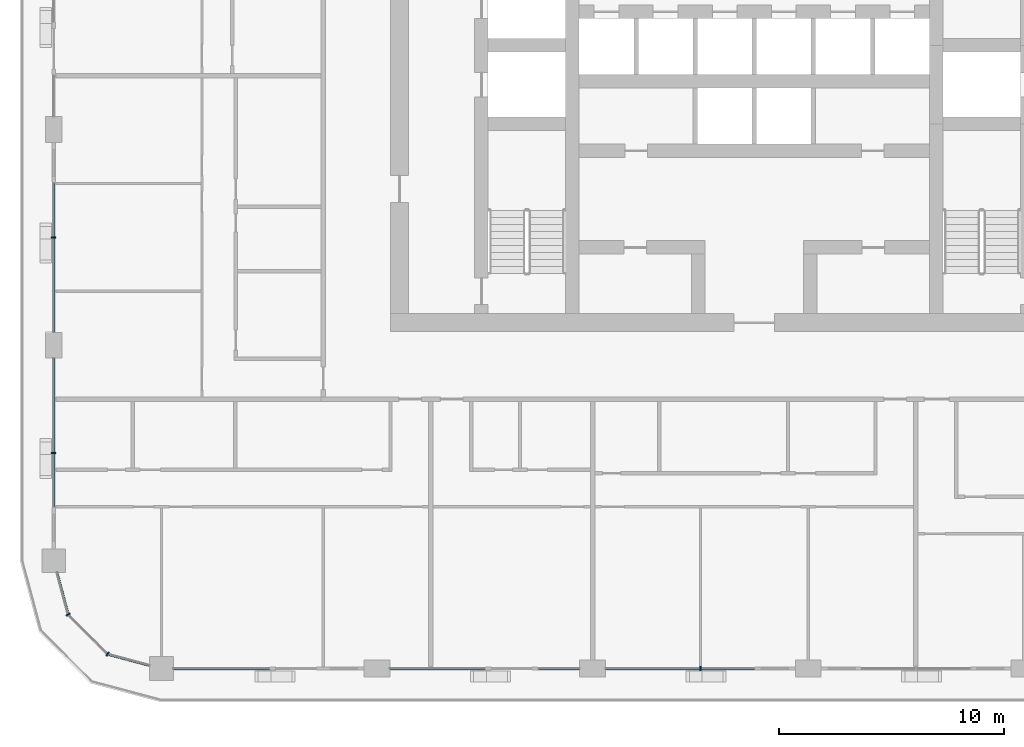
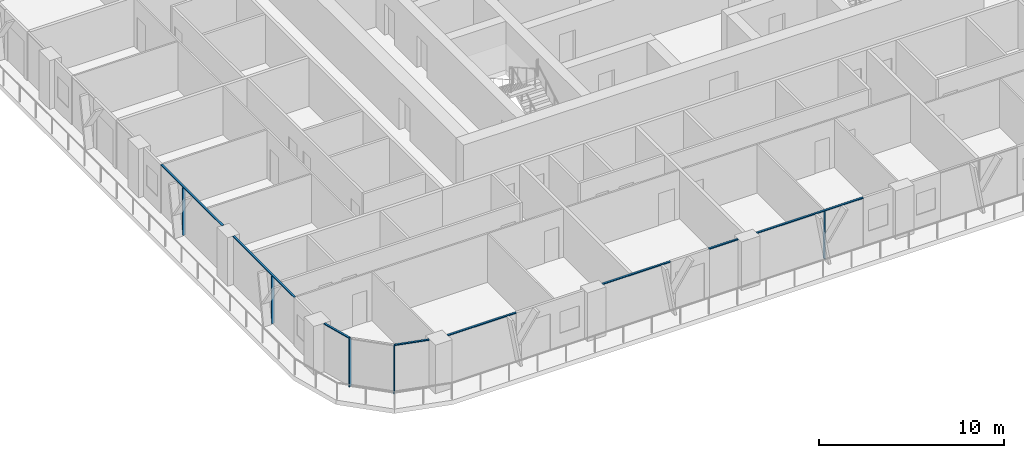
# One storey, part 2 of 22: 13 members, 6 elements without a shape of their own.
"""IFC4 building model written with IfcOpenShell, lengths in metres."""

from ifc_helpers import new_model, si_unit, direction, frame, origin, origin_2d, place, context, subcontext, project, spatial, rectangle, extrude, material, layer, layer_set, material_profile, profile_set, type_object, element, aggregate, save


model = new_model("IFC4")

# Units and contexts
model_context = context("Model", 3, precision=1e-05, world=origin(), true_north=direction((0.0, 1.0)))
body_context = subcontext(model_context, "Body", "Model", "MODEL_VIEW")
ifc_project = project(units=[si_unit("LENGTHUNIT", "METRE"), si_unit("AREAUNIT", "SQUARE_METRE"), si_unit("VOLUMEUNIT", "CUBIC_METRE"), si_unit("PLANEANGLEUNIT", "RADIAN"), si_unit("MASSUNIT", "GRAM", prefix="KILO")], contexts=[model_context])

# Site, building, storey
site_placement = place(None, origin())
site = spatial("IfcSite", under=ifc_project, at=site_placement, CompositionType="ELEMENT")
building_placement = place(site_placement, origin())
building = spatial("IfcBuilding", under=site, at=building_placement, Name="Madar Terraces", CompositionType="ELEMENT")
storey_placement = place(building_placement, frame((0.0, 0.0, 163.0)))
storey = spatial("IfcBuildingStorey", under=building, at=storey_placement, Name="L42", CompositionType="ELEMENT", Elevation=163.0)

# Curtain wall, member
ifc_material_1 = material(Name="Glass, ceramic frit dark grey, with black aluminium frame", Category="aluminium")
ifc_layer = layer(ifc_material_1, 0.199951171875)
ifc_layer_set = layer_set([ifc_layer], Name="Facade curtain wall, fritted glass")
curtain_wall_type = type_object("IfcCurtainWallType", Name="Facade curtain wall, fritted glass", PredefinedType="NOTDEFINED", material=ifc_layer_set)
curtain_wall_1_placement = place(storey_placement, origin())
curtain_wall_1 = element("IfcCurtainWall", 1, at=curtain_wall_1_placement, inside=storey, type_object=curtain_wall_type, Name="Outer skin curtain wall south bay 3", PredefinedType="NOTDEFINED")
ifc_material_2 = material(Name="Aluminium, black anodised", Category="aluminium")
ifc_material_profile_1 = material_profile(ifc_material_2, rectangle(XDim=0.199951171875, YDim=0.06005859375, at=origin_2d()), Name="Facade mullion 60x200")
ifc_profile_set_1 = profile_set([ifc_material_profile_1], Name="Aluminium, black anodised")
member_type_1 = type_object("IfcMemberType", Name="Facade mullion 60x200", PredefinedType="MULLION", material=ifc_profile_set_1)
member_1_placement = place(storey_placement, frame((28.800048828125, 0.0, 0.0), z_axis=(0.0, 0.0, 1.0), x_axis=(0.0, 1.0, 0.0)))
member_1 = element("IfcMember", 2, at=member_1_placement, type_object=member_type_1, Name="Mullion 1", PredefinedType="MULLION", context=body_context, shape_type="SweptSolid", body=[
    extrude(rectangle(XDim=0.199951171875, YDim=0.06005859375, at=origin_2d()), origin(), (0.0, 0.0, 1.0), 3.139892578125),
])

curtain_wall_2_placement = place(storey_placement, origin())
curtain_wall_2 = element("IfcCurtainWall", 3, at=curtain_wall_2_placement, inside=storey, type_object=curtain_wall_type, Name="Outer skin curtain wall west bay 3", PredefinedType="NOTDEFINED")
member_2_placement = place(storey_placement, frame((0.0, 19.199951171875, 0.0), z_axis=(0.0, 0.0, 1.0), x_axis=(1.0, 0.0, 0.0)))
member_2 = element("IfcMember", 4, at=member_2_placement, type_object=member_type_1, Name="Mullion 1", PredefinedType="MULLION", context=body_context, shape_type="SweptSolid", body=[
    extrude(rectangle(XDim=0.199951171875, YDim=0.06005859375, at=origin_2d()), origin(), (0.0, 0.0, 1.0), 3.139892578125),
])

curtain_wall_3_placement = place(storey_placement, origin())
curtain_wall_3 = element("IfcCurtainWall", 5, at=curtain_wall_3_placement, inside=storey, type_object=curtain_wall_type, Name="Outer skin curtain wall west bay 4", PredefinedType="NOTDEFINED")
member_3_placement = place(storey_placement, frame((0.0, 9.60009765625, 0.0), z_axis=(0.0, 0.0, 1.0), x_axis=(1.0, 0.0, 0.0)))
member_3 = element("IfcMember", 6, at=member_3_placement, type_object=member_type_1, Name="Mullion 1", PredefinedType="MULLION", context=body_context, shape_type="SweptSolid", body=[
    extrude(rectangle(XDim=0.199951171875, YDim=0.06005859375, at=origin_2d()), origin(), (0.0, 0.0, 1.0), 3.139892578125),
])

# Curtain wall, members
curtain_wall_4_placement = place(storey_placement, origin())
curtain_wall_4 = element("IfcCurtainWall", 7, at=curtain_wall_4_placement, inside=storey, type_object=curtain_wall_type, Name="Outer skin curtain wall south-west corner", PredefinedType="NOTDEFINED")
member_4_placement = place(storey_placement, frame((0.64306640625, 2.39990234375, 0.0), z_axis=(0.0, 0.0, 1.0), x_axis=(0.866025409797, 0.499999989586, 0.0)))
member_4 = element("IfcMember", 8, at=member_4_placement, type_object=member_type_1, Name="Mullion 1", PredefinedType="MULLION", context=body_context, shape_type="SweptSolid", body=[
    extrude(rectangle(XDim=0.199951171875, YDim=0.06005859375, at=origin_2d()), origin(), (0.0, 0.0, 1.0), 3.139892578125),
])
member_5_placement = place(storey_placement, frame((2.39990234375, 0.64306640625, 0.0), z_axis=(0.0, 0.0, 1.0), x_axis=(0.499999989586, 0.866025409797, 0.0)))
member_5 = element("IfcMember", 9, at=member_5_placement, type_object=member_type_1, Name="Mullion 2", PredefinedType="MULLION", context=body_context, shape_type="SweptSolid", body=[
    extrude(rectangle(XDim=0.199951171875, YDim=0.06005859375, at=origin_2d()), origin(), (0.0, 0.0, 1.0), 3.139892578125),
])

# Curtain wall, member
curtain_wall_5_placement = place(storey_placement, origin())
curtain_wall_5 = element("IfcCurtainWall", 10, at=curtain_wall_5_placement, inside=storey, type_object=curtain_wall_type, Name="Outer skin curtain wall south bay 1", PredefinedType="NOTDEFINED")
ifc_material_3 = material(Name="Aluminium, black anodised", Category="aluminium")
ifc_material_profile_2 = material_profile(ifc_material_3, rectangle(XDim=0.1201171875, YDim=0.06005859375, at=origin_2d()), Name="Facade transom 60x120")
ifc_profile_set_2 = profile_set([ifc_material_profile_2], Name="Aluminium, black anodised")
member_type_2 = type_object("IfcMemberType", Name="Facade transom 60x120", PredefinedType="USERDEFINED", material=ifc_profile_set_2)
member_6_placement = place(storey_placement, frame((5.324951171875, 0.0, 3.169921875), z_axis=(1.0, 0.0, 0.0), x_axis=(0.0, 1.0, 0.0)))
member_6 = element("IfcMember", 11, at=member_6_placement, type_object=member_type_2, Name="Transom 1", ObjectType="TRANSOM", PredefinedType="USERDEFINED", context=body_context, shape_type="SweptSolid", body=[
    extrude(rectangle(XDim=0.1201171875, YDim=0.06005859375, at=origin_2d()), origin(), (0.0, 0.0, 1.0), 4.275146484375),
])
aggregate(curtain_wall_5, [member_6])

# Curtain wall, members
curtain_wall_6_placement = place(storey_placement, origin())
curtain_wall_6 = element("IfcCurtainWall", 12, at=curtain_wall_6_placement, inside=storey, type_object=curtain_wall_type, Name="Outer skin curtain wall south bay 2", PredefinedType="NOTDEFINED")
member_7_placement = place(storey_placement, frame((14.97509765625, 0.0, 3.169921875), z_axis=(1.0, 0.0, 0.0), x_axis=(0.0, 1.0, 0.0)))
member_7 = element("IfcMember", 13, at=member_7_placement, type_object=member_type_2, Name="Transom 1", ObjectType="TRANSOM", PredefinedType="USERDEFINED", context=body_context, shape_type="SweptSolid", body=[
    extrude(rectangle(XDim=0.1201171875, YDim=0.06005859375, at=origin_2d()), origin(), (0.0, 0.0, 1.0), 4.224853515625),
])
member_8_placement = place(storey_placement, frame((21.60009765625, 0.0, 3.169921875), z_axis=(1.0, 0.0, 0.0), x_axis=(0.0, 1.0, 0.0)))
member_8 = element("IfcMember", 14, at=member_8_placement, type_object=member_type_2, Name="Transom 2", ObjectType="TRANSOM", PredefinedType="USERDEFINED", context=body_context, shape_type="SweptSolid", body=[
    extrude(rectangle(XDim=0.1201171875, YDim=0.06005859375, at=origin_2d()), origin(), (0.0, 0.0, 1.0), 1.824951171875),
])
aggregate(curtain_wall_6, [member_7, member_8])

# Member
member_9_placement = place(storey_placement, frame((24.574951171875, 0.0, 3.169921875), z_axis=(1.0, 0.0, 0.0), x_axis=(0.0, 1.0, 0.0)))
member_9 = element("IfcMember", 15, at=member_9_placement, type_object=member_type_2, Name="Transom 1", ObjectType="TRANSOM", PredefinedType="USERDEFINED", context=body_context, shape_type="SweptSolid", body=[
    extrude(rectangle(XDim=0.1201171875, YDim=0.06005859375, at=origin_2d()), origin(), (0.0, 0.0, 1.0), 6.625),
])

aggregate(curtain_wall_1, [member_1, member_9])

member_10_placement = place(storey_placement, frame((0.0, 21.60009765625, 3.169921875), z_axis=(0.0, -1.0, 0.0), x_axis=(1.0, 0.0, 0.0)))
member_10 = element("IfcMember", 16, at=member_10_placement, type_object=member_type_2, Name="Transom 1", ObjectType="TRANSOM", PredefinedType="USERDEFINED", context=body_context, shape_type="SweptSolid", body=[
    extrude(rectangle(XDim=0.1201171875, YDim=0.06005859375, at=origin_2d()), origin(), (0.0, 0.0, 1.0), 6.625),
])

aggregate(curtain_wall_2, [member_2, member_10])

member_11_placement = place(storey_placement, frame((0.0, 13.824951171875, 3.169921875), z_axis=(0.0, -1.0, 0.0), x_axis=(1.0, 0.0, 0.0)))
member_11 = element("IfcMember", 17, at=member_11_placement, type_object=member_type_2, Name="Transom 1", ObjectType="TRANSOM", PredefinedType="USERDEFINED", context=body_context, shape_type="SweptSolid", body=[
    extrude(rectangle(XDim=0.1201171875, YDim=0.06005859375, at=origin_2d()), origin(), (0.0, 0.0, 1.0), 6.625),
])

aggregate(curtain_wall_3, [member_3, member_11])

member_12_placement = place(storey_placement, frame((0.140625, 4.27490234375, 3.169921875), z_axis=(0.258823354654, -0.965924671538, 0.0), x_axis=(0.965924671538, 0.258823354654, 0.0)))
member_12 = element("IfcMember", 18, at=member_12_placement, type_object=member_type_2, Name="Transom 1", ObjectType="TRANSOM", PredefinedType="USERDEFINED", context=body_context, shape_type="SweptSolid", body=[
    extrude(rectangle(XDim=0.1201171875, YDim=0.06005859375, at=origin_2d()), origin(), (0.0, 0.0, 1.0), 1.9111328125),
])

member_13_placement = place(storey_placement, frame((2.428955078125, 0.63525390625, 3.169921875), z_axis=(0.965924671538, -0.258823354654, 0.0), x_axis=(0.258823354654, 0.965924671538, 0.0)))
member_13 = element("IfcMember", 19, at=member_13_placement, type_object=member_type_2, Name="Transom 3", ObjectType="TRANSOM", PredefinedType="USERDEFINED", context=body_context, shape_type="SweptSolid", body=[
    extrude(rectangle(XDim=0.1201171875, YDim=0.06005859375, at=origin_2d()), origin(), (0.0, 0.0, 1.0), 1.9111328125),
])

aggregate(curtain_wall_4, [member_4, member_12, member_5, member_13])

save(model, "model.ifc")
